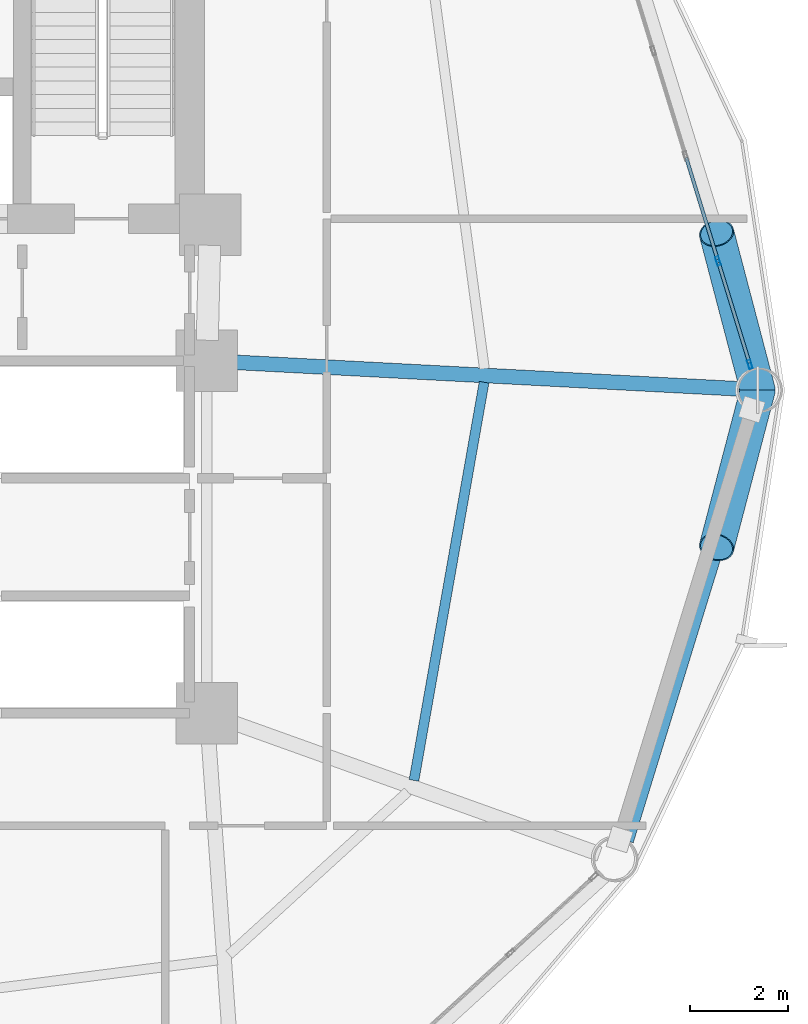
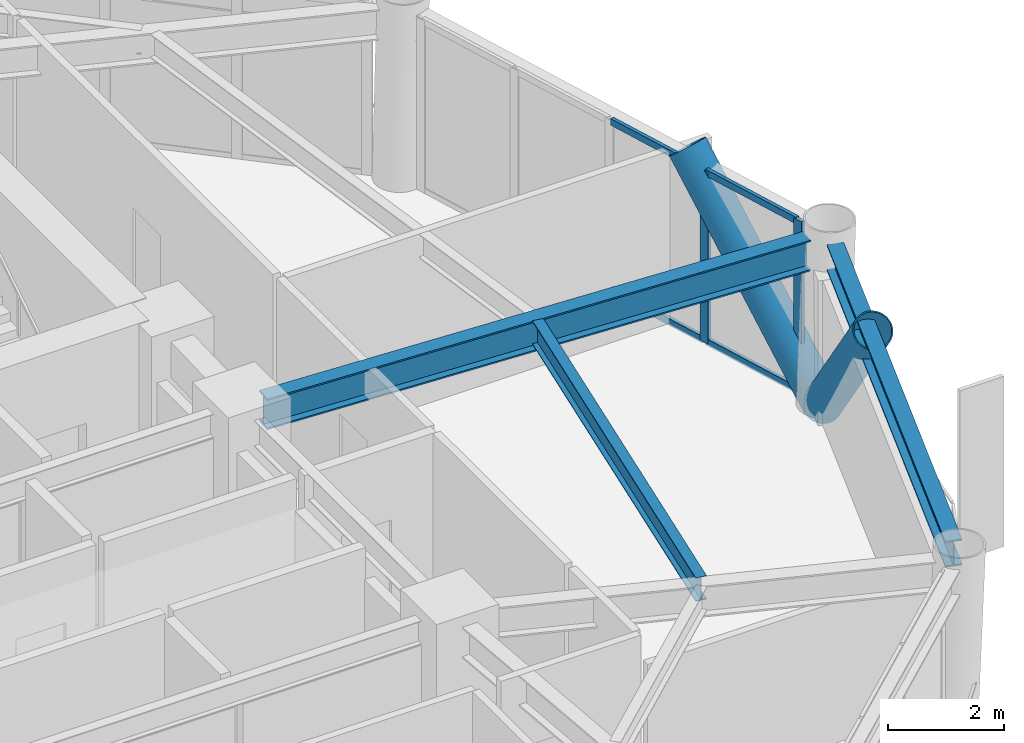
# One storey, part 14 of 26: 8 members, 3 beams, 1 element without a shape of its own.
"""IFC4 building model written with IfcOpenShell, lengths in metres."""

from ifc_helpers import new_model, si_unit, direction, frame, origin, origin_2d, place, context, subcontext, project, spatial, hollow_rectangle, hollow_circle, i_section, extrude, material, layer, layer_set, material_profile, profile_set, type_object, element, aggregate, save


model = new_model("IFC4")

# Units and contexts
model_context = context("Model", 3, precision=1e-05, world=origin(), true_north=direction((0.0, 1.0)))
body_context = subcontext(model_context, "Body", "Model", "MODEL_VIEW")
ifc_project = project(units=[si_unit("LENGTHUNIT", "METRE"), si_unit("AREAUNIT", "SQUARE_METRE"), si_unit("VOLUMEUNIT", "CUBIC_METRE"), si_unit("PLANEANGLEUNIT", "RADIAN"), si_unit("MASSUNIT", "GRAM", prefix="KILO")], contexts=[model_context])

# Site, building, storey
site_placement = place(None, origin())
site = spatial("IfcSite", under=ifc_project, at=site_placement, CompositionType="ELEMENT")
building_placement = place(site_placement, origin())
building = spatial("IfcBuilding", under=site, at=building_placement, Name="Varnakorn Sky Granary", CompositionType="ELEMENT")
storey_placement = place(building_placement, frame((0.0, 0.0, 51.0)))
storey = spatial("IfcBuildingStorey", under=building, at=storey_placement, Name="L12", CompositionType="ELEMENT", Elevation=51.0)

# Beams
ifc_material_1 = material(Name="Steel S355JR", Category="steel")
ifc_material_profile_1 = material_profile(ifc_material_1, i_section(OverallWidth=0.300048828125, OverallDepth=0.64990234375, WebThickness=0.01611328125, FlangeThickness=0.031005859375, at=origin_2d()), Name="HE 650 B")
ifc_profile_set_1 = profile_set([ifc_material_profile_1], Name="Steel S355JR")
beam_type_1 = type_object("IfcBeamType", Name="BM-RAD-Z1", PredefinedType="BEAM", material=ifc_profile_set_1)
beam_1_placement = place(storey_placement, frame((8.769287109375, 0.577880859375, 3.31494140625), z_axis=(0.998618915063, -0.052538200186, 0.0), x_axis=(0.052538200186, 0.998618915063, 0.0)))
element("IfcBeam", 1, at=beam_1_placement, inside=storey, type_object=beam_type_1, Name="Radial Floor Girder RG01 L12", PredefinedType="BEAM", context=body_context, shape_type="SweptSolid", body=[
    extrude(i_section(OverallWidth=0.300048828125, OverallDepth=0.64990234375, WebThickness=0.01611328125, FlangeThickness=0.031005859375, at=origin_2d()), origin(), (0.0, 0.0, 1.0), 10.557861328125),
])
ifc_material_profile_2 = material_profile(ifc_material_1, i_section(OverallWidth=0.199951171875, OverallDepth=0.5, WebThickness=0.01025390625, FlangeThickness=0.01611328125, at=origin_2d()), Name="IPE 500")
ifc_profile_set_2 = profile_set([ifc_material_profile_2], Name="Steel S355JR")
beam_type_2 = type_object("IfcBeamType", Name="BM-SEC-Z1", PredefinedType="BEAM", material=ifc_profile_set_2)
beam_2_placement = place(storey_placement, frame((12.583740234375, -7.971435546875, 3.389892578125), z_axis=(0.173485167162, 0.984836482252, 0.0), x_axis=(-0.984836482252, 0.173485167162, 0.0)))
element("IfcBeam", 2, at=beam_2_placement, inside=storey, type_object=beam_type_2, Name="Secondary Floor Chord Beam MSB12 L12", PredefinedType="BEAM", context=body_context, shape_type="SweptSolid", body=[
    extrude(i_section(OverallWidth=0.199951171875, OverallDepth=0.5, WebThickness=0.01025390625, FlangeThickness=0.01611328125, at=origin_2d()), origin(), (0.0, 0.0, 1.0), 8.25927734375),
])
ifc_material_profile_3 = material_profile(ifc_material_1, i_section(OverallWidth=0.300048828125, OverallDepth=0.550048828125, WebThickness=0.014892578125, FlangeThickness=0.029052734375, at=origin_2d()), Name="HE 550 B")
ifc_profile_set_3 = profile_set([ifc_material_profile_3], Name="Steel S355JR")
beam_type_3 = type_object("IfcBeamType", Name="BM-SPD-Z1", PredefinedType="SPANDREL", material=ifc_profile_set_3)
beam_3_placement = place(storey_placement, frame((16.919677734375, -9.20361328125, 3.364990234375), z_axis=(0.294302432342, 0.955712340779, 0.0), x_axis=(-0.955712340779, 0.294302432342, 0.0)))
element("IfcBeam", 3, at=beam_3_placement, inside=storey, type_object=beam_type_3, Name="Perimeter Spandrel Ring Beam RB12 L12", PredefinedType="SPANDREL", context=body_context, shape_type="SweptSolid", body=[
    extrude(i_section(OverallWidth=0.300048828125, OverallDepth=0.550048828125, WebThickness=0.014892578125, FlangeThickness=0.029052734375, at=origin_2d()), origin(), (0.0, 0.0, 1.0), 9.188232421875),
])

# Curtain wall, members
ifc_material_2 = material(Name="Anodised Bronze Aluminium Alloy 6063-T6", Category="aluminium")
ifc_layer = layer(ifc_material_2, 0.18994140625, Name="Anodised Bronze Aluminium Alloy 6063-T6")
ifc_layer_set = layer_set([ifc_layer], Name="Anodised Bronze Aluminium Alloy 6063-T6")
curtain_wall_type = type_object("IfcCurtainWallType", Name="CW-FRM-1", PredefinedType="USERDEFINED", material=ifc_layer_set)
curtain_wall_placement = place(storey_placement, origin())
curtain_wall = element("IfcCurtainWall", 4, at=curtain_wall_placement, inside=storey, type_object=curtain_wall_type, Name="Unitised Curtain Wall CW3 CW-L12-B01", ObjectType="CURTAIN WALL", PredefinedType="USERDEFINED")
ifc_material_profile_4 = material_profile(ifc_material_2, hollow_rectangle(XDim=0.070068359375, YDim=0.18505859375, WallThickness=0.00390625, at=origin_2d()), Name="ALU MULL 70x185")
ifc_profile_set_4 = profile_set([ifc_material_profile_4], Name="Anodised Bronze Aluminium Alloy 6063-T6")
member_type_1 = type_object("IfcMemberType", Name="CW-FRM-1-MULL", PredefinedType="MULLION", material=ifc_profile_set_4)
member_1_placement = place(storey_placement, frame((18.795654296875, 2.639404296875, 0.0), z_axis=(0.0, 0.0, 1.0), x_axis=(0.955767929805, 0.294121852906, 0.0)))
member_1 = element("IfcMember", 5, at=member_1_placement, type_object=member_type_1, Name="CW3 mullion 4", PredefinedType="MULLION", context=body_context, shape_type="SweptSolid", body=[
    extrude(hollow_rectangle(XDim=0.070068359375, YDim=0.18505859375, WallThickness=0.00390625, at=origin_2d()), origin(), (0.0, 0.0, 1.0), 3.639892578125),
])
member_2_placement = place(storey_placement, frame((19.445556640625, 0.527587890625, 0.0), z_axis=(0.0, 0.0, 1.0), x_axis=(0.955767929805, 0.294121852906, 0.0)))
member_2 = element("IfcMember", 6, at=member_2_placement, type_object=member_type_1, Name="CW3 mullion 5", PredefinedType="MULLION", context=body_context, shape_type="SweptSolid", body=[
    extrude(hollow_rectangle(XDim=0.070068359375, YDim=0.18505859375, WallThickness=0.00390625, at=origin_2d()), origin(), (0.0, 0.0, 1.0), 3.639892578125),
])
ifc_material_profile_5 = material_profile(ifc_material_2, hollow_rectangle(XDim=0.070068359375, YDim=0.139892578125, WallThickness=0.00341796875, at=origin_2d()), Name="ALU TRAN 70x140")
ifc_profile_set_5 = profile_set([ifc_material_profile_5], Name="Anodised Bronze Aluminium Alloy 6063-T6")
member_type_2 = type_object("IfcMemberType", Name="CW-FRM-1-TRAN", PredefinedType="USERDEFINED", material=ifc_profile_set_5)
member_3_placement = place(storey_placement, frame((18.14599609375, 4.7509765625, 0.034912109375), z_axis=(0.294077958435, -0.955781436502, 0.0), x_axis=(0.955781436502, 0.294077958435, 0.0)))
member_3 = element("IfcMember", 7, at=member_3_placement, type_object=member_type_2, Name="CW3 transom 3.1", ObjectType="TRANSOM", PredefinedType="USERDEFINED", context=body_context, shape_type="SweptSolid", body=[
    extrude(hollow_rectangle(XDim=0.070068359375, YDim=0.139892578125, WallThickness=0.00341796875, at=origin_2d()), origin(), (0.0, 0.0, 1.0), 2.17431640625),
])
member_4_placement = place(storey_placement, frame((18.14599609375, 4.7509765625, 3.60498046875), z_axis=(0.294077958435, -0.955781436502, 0.0), x_axis=(0.955781436502, 0.294077958435, 0.0)))
member_4 = element("IfcMember", 8, at=member_4_placement, type_object=member_type_2, Name="CW3 transom 3.2", ObjectType="TRANSOM", PredefinedType="USERDEFINED", context=body_context, shape_type="SweptSolid", body=[
    extrude(hollow_rectangle(XDim=0.070068359375, YDim=0.139892578125, WallThickness=0.00341796875, at=origin_2d()), origin(), (0.0, 0.0, 1.0), 2.17431640625),
])
member_5_placement = place(storey_placement, frame((18.80615234375, 2.60595703125, 0.034912109375), z_axis=(0.294061793096, -0.955786410157, 0.0), x_axis=(0.955786410157, 0.294061793096, 0.0)))
member_5 = element("IfcMember", 9, at=member_5_placement, type_object=member_type_2, Name="CW3 transom 4.1", ObjectType="TRANSOM", PredefinedType="USERDEFINED", context=body_context, shape_type="SweptSolid", body=[
    extrude(hollow_rectangle(XDim=0.070068359375, YDim=0.139892578125, WallThickness=0.00341796875, at=origin_2d()), origin(), (0.0, 0.0, 1.0), 2.139404296875),
])
member_6_placement = place(storey_placement, frame((18.80615234375, 2.60595703125, 3.60498046875), z_axis=(0.294061793096, -0.955786410157, 0.0), x_axis=(0.955786410157, 0.294061793096, 0.0)))
member_6 = element("IfcMember", 10, at=member_6_placement, type_object=member_type_2, Name="CW3 transom 4.2", ObjectType="TRANSOM", PredefinedType="USERDEFINED", context=body_context, shape_type="SweptSolid", body=[
    extrude(hollow_rectangle(XDim=0.070068359375, YDim=0.139892578125, WallThickness=0.00341796875, at=origin_2d()), origin(), (0.0, 0.0, 1.0), 2.139404296875),
])
aggregate(curtain_wall, [member_1, member_2, member_3, member_4, member_5, member_6])

# Members
ifc_material_3 = material(Name="Steel S460M", Category="steel")
ifc_material_profile_6 = material_profile(ifc_material_3, hollow_circle(Radius=0.35546875, WallThickness=0.02490234375, at=origin_2d()), Name="CHS 711x25")
ifc_profile_set_6 = profile_set([ifc_material_profile_6], Name="Steel S460M")
member_type_3 = type_object("IfcMemberType", Name="MB-DIAG-T0", PredefinedType="BRACE", material=ifc_profile_set_6)
for number, where, z_axis, x_axis, name in (
    (11, (19.60791015625, 0.0, 0.0), (-0.167177482056, 0.637058175317, 0.752468318772), (-0.967249713632, -0.253826695756, 0.0), "Perimeter CHS Diagrid Brace DG01 L12"),
    (12, (19.60791015625, 0.0, 0.0), (-0.167177482056, -0.637058175317, 0.752468318772), (0.967249713632, -0.253826695756, 0.0), "Perimeter CHS Diagrid Brace DG12 L12"),
):
    element("IfcMember", number, at=place(storey_placement, frame(where, z_axis=z_axis, x_axis=x_axis)), inside=storey, type_object=member_type_3, Name=name, PredefinedType="BRACE", context=body_context, shape_type="SweptSolid", body=[
        extrude(hollow_circle(Radius=0.35546875, WallThickness=0.02490234375, at=origin_2d()), origin(), (0.0, 0.0, 1.0), 5.036865234375),
    ])

save(model, "model.ifc")
